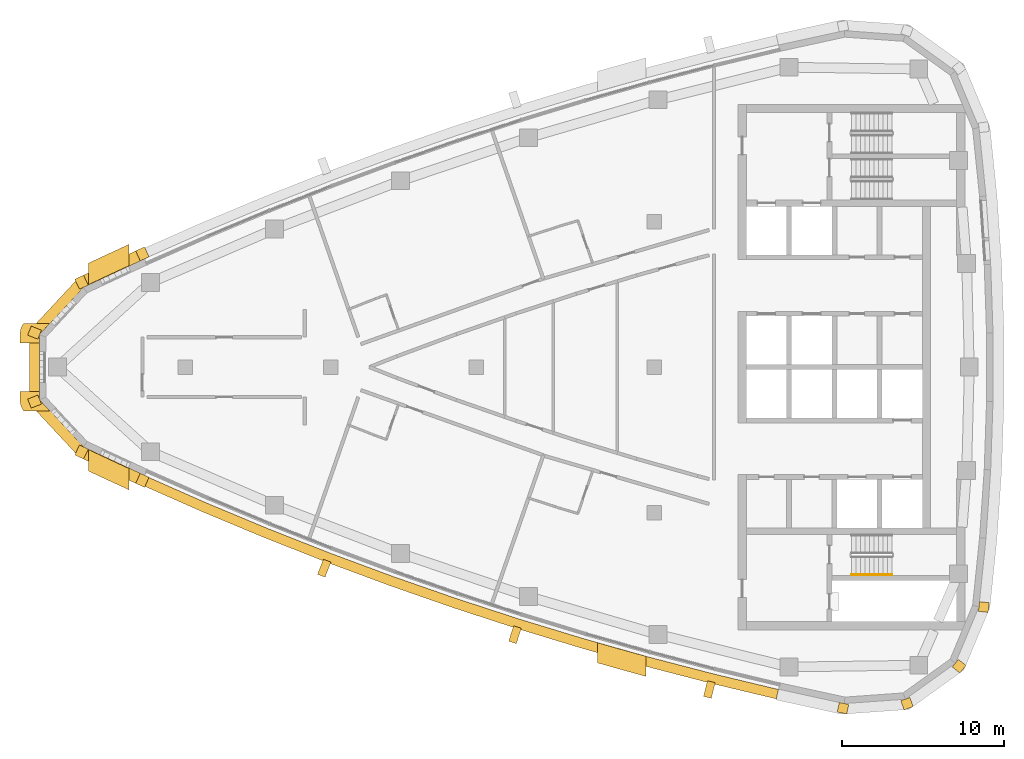
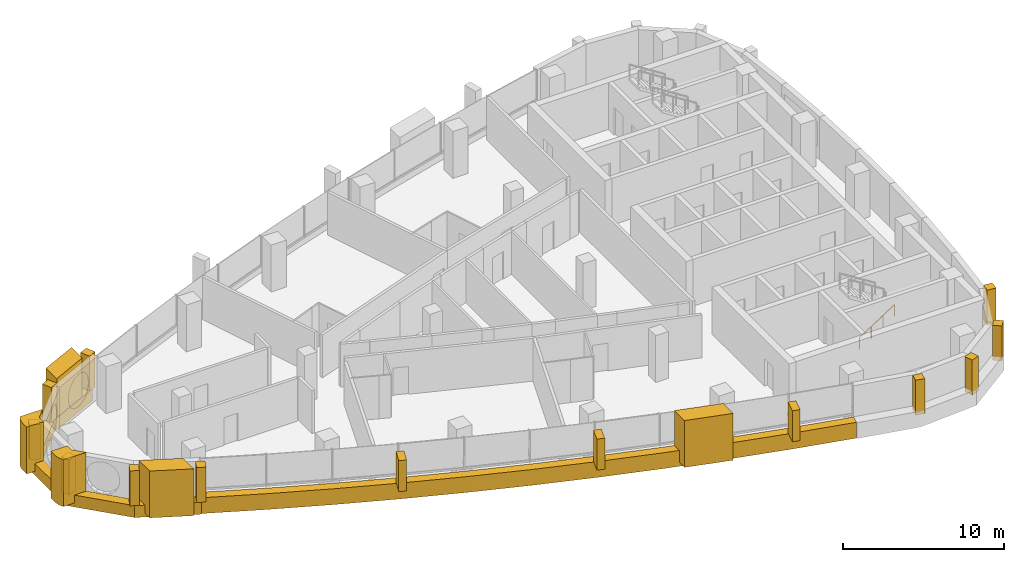
# One storey, part 11 of 14: 20 coverings, 1 railing.
"""IFC4 building model written with IfcOpenShell, lengths in metres."""

from ifc_helpers import new_model, si_unit, direction, frame, frame_2d, origin, origin_2d, place, context, subcontext, project, spatial, polyline, rectangle, circle, outline, extrude, material, layer, layer_set, type_object, element, save


model = new_model("IFC4")

# Units and contexts
model_context = context("Model", 3, precision=1e-05, world=origin(), true_north=direction((0.0, 1.0)))
body_context = subcontext(model_context, "Body", "Model", "MODEL_VIEW")
ifc_project = project(units=[si_unit("LENGTHUNIT", "METRE"), si_unit("AREAUNIT", "SQUARE_METRE"), si_unit("VOLUMEUNIT", "CUBIC_METRE"), si_unit("PLANEANGLEUNIT", "RADIAN"), si_unit("MASSUNIT", "GRAM", prefix="KILO")], contexts=[model_context])

# Site, building, storey
site_placement = place(None, origin())
site = spatial("IfcSite", under=ifc_project, at=site_placement, CompositionType="ELEMENT")
building_placement = place(site_placement, origin())
building = spatial("IfcBuilding", under=site, at=building_placement, Name="Ostrand Prow Hotel Tower", CompositionType="ELEMENT")
storey_placement = place(building_placement, frame((0.0, 0.0, 278.550048828125)))
storey = spatial("IfcBuildingStorey", under=building, at=storey_placement, Name="L70", CompositionType="ELEMENT", Elevation=278.550048828125)

# Coverings
ifc_material_1 = material(Name="Bronze anodised aluminium cladding", Category="aluminium")
ifc_layer_1 = layer(ifc_material_1, 0.60009765625)
ifc_layer_set_1 = layer_set([ifc_layer_1], Name="Bronze anodised aluminium cladding")
covering_type_1 = type_object("IfcCoveringType", Name="Bronze prow band 899x600", PredefinedType="CLADDING", material=ifc_layer_set_1)
covering_1_placement = place(storey_placement, frame((0.0, 0.0, -0.300048828125)))
element("IfcCovering", 1, at=covering_1_placement, inside=storey, type_object=covering_type_1, Name="Bronze prow band", PredefinedType="CLADDING", context=body_context, shape_type="SweptSolid", body=[
    extrude(outline(polyline([(13.195068359375, 7.316162109375), (9.424560546875, 5.559814453125), (6.348388671875, 2.2568359375), (6.348388671875, -2.2568359375), (9.424560546875, -5.559814453125), (13.195068359375, -7.316162109375), (13.47607421875, -6.697021484375), (9.718017578125, -4.9462890625), (6.981201171875, -2.0078125), (6.981201171875, 2.0078125), (9.718017578125, 4.9462890625), (13.47607421875, 6.697021484375), (13.195068359375, 7.316162109375)])), origin(), (0.0, 0.0, 1.0), 0.89990234375),
])
ifc_material_2 = material(Name="Bronze anodised aluminium cladding", Category="aluminium")
ifc_layer_2 = layer(ifc_material_2, 0.60009765625)
ifc_layer_set_2 = layer_set([ifc_layer_2], Name="Bronze anodised aluminium cladding")
covering_type_2 = type_object("IfcCoveringType", Name="Bronze spandrel band 1200x600", PredefinedType="CLADDING", material=ifc_layer_set_2)
covering_2_placement = place(storey_placement, frame((0.0, 0.0, -0.300048828125)))
element("IfcCovering", 2, at=covering_2_placement, inside=storey, type_object=covering_type_2, Name="Spandrel band S1", PredefinedType="CLADDING", context=body_context, shape_type="SweptSolid", body=[
    extrude(outline(polyline([(13.220947265625, -7.25927734375), (17.02490234375, -8.938720703125), (20.86181640625, -10.541748046875), (24.72998046875, -12.067138671875), (28.62841796875, -13.514404296875), (32.5546875, -14.88330078125), (36.508056640625, -16.172607421875), (40.486328125, -17.382568359375), (44.48828125, -18.51220703125), (48.51220703125, -19.56103515625), (52.55615234375, -20.52880859375), (52.68994140625, -19.94384765625), (48.65771484375, -18.97900390625), (44.6455078125, -17.93310546875), (40.6552734375, -16.806884765625), (36.6884765625, -15.6005859375), (32.74658203125, -14.314697265625), (28.83154296875, -12.949951171875), (24.944580078125, -11.5068359375), (21.08740234375, -9.98583984375), (17.26171875, -8.3876953125), (13.468994140625, -6.712890625), (13.220947265625, -7.25927734375)])), origin(), (0.0, 0.0, 1.0), 1.199951171875),
])
ifc_material_3 = material(Name="Limestone cladding", Category="masonry")
ifc_layer_3 = layer(ifc_material_3, 5.0)
ifc_layer_set_3 = layer_set([ifc_layer_3], Name="Limestone cladding")
covering_type_3 = type_object("IfcCoveringType", Name="Portal jamb pilaster limestone", PredefinedType="CLADDING", material=ifc_layer_set_3)
covering_3_placement = place(storey_placement, origin())
element("IfcCovering", 3, at=covering_3_placement, inside=storey, type_object=covering_type_3, Name="Portal jamb SA L70", PredefinedType="CLADDING", context=body_context, shape_type="SweptSolid", body=[
    extrude(outline(polyline([(10.0, -5.10009765625), (10.0, -6.428466796875), (10.833251953125, -6.8203125), (11.666748046875, -7.20751953125), (12.5, -7.590087890625), (12.5, -6.270263671875), (11.666748046875, -5.884765625), (10.833251953125, -5.494873046875), (10.0, -5.10009765625)])), origin(), (0.0, 0.0, 1.0), 3.550048828125),
])
covering_4_placement = place(storey_placement, origin())
element("IfcCovering", 4, at=covering_4_placement, inside=storey, type_object=covering_type_3, Name="Portal jamb SB L70", PredefinedType="CLADDING", context=body_context, shape_type="SweptSolid", body=[
    extrude(outline(polyline([(41.5, -17.052490234375), (41.5, -18.301025390625), (42.5, -18.585205078125), (43.5, -18.86376953125), (44.5, -19.136962890625), (44.5, -17.8935546875), (43.5, -17.61865234375), (42.5, -17.338134765625), (41.5, -17.052490234375)])), origin(), (0.0, 0.0, 1.0), 3.550048828125),
])
covering_5_placement = place(storey_placement, origin())
element("IfcCovering", 5, at=covering_5_placement, inside=storey, type_object=covering_type_3, Name="Portal jamb NA L70", PredefinedType="CLADDING", context=body_context, shape_type="SweptSolid", body=[
    extrude(outline(polyline([(10.0, 5.10009765625), (10.833251953125, 5.494873046875), (11.666748046875, 5.884765625), (12.5, 6.270263671875), (12.5, 7.590087890625), (11.666748046875, 7.20751953125), (10.833251953125, 6.8203125), (10.0, 6.428466796875), (10.0, 5.10009765625)])), origin(), (0.0, 0.0, 1.0), 3.550048828125),
])
ifc_material_4 = material(Name="Limestone cladding", Category="masonry")
ifc_layer_4 = layer(ifc_material_4, 0.5)
ifc_layer_set_4 = layer_set([ifc_layer_4], Name="Limestone cladding")
covering_type_4 = type_object("IfcCoveringType", Name="Precast stone fin 500x900", PredefinedType="CLADDING", material=ifc_layer_set_4)
covering_6_placement = place(storey_placement, frame((24.765869140625, -11.973876953125, 0.89990234375), z_axis=(0.0, 0.0, 1.0), x_axis=(-0.357456978517, -0.933929605757, 0.0)))
element("IfcCovering", 6, at=covering_6_placement, inside=storey, type_object=covering_type_4, Name="Stone fin S 4", PredefinedType="CLADDING", context=body_context, shape_type="SweptSolid", body=[
    extrude(rectangle(XDim=1.0, YDim=0.5, at=frame_2d((0.5, 0.0))), origin(), (0.0, 0.0, 1.0), 2.35009765625),
])
for number, where, z_axis, x_axis, name in (
    (7, (36.5380859375, -16.077392578125, 0.89990234375), (0.0, 0.0, 1.0), (-0.30058207316, -0.953755952692, 0.0), "Stone fin S 7"),
    (8, (48.536376953125, -19.464111328125, 0.89990234375), (0.0, 0.0, 1.0), (-0.242707978632, -0.970099395479, 0.0), "Stone fin S 10"),
):
    element("IfcCovering", number, at=place(storey_placement, frame(where, z_axis=z_axis, x_axis=x_axis)), inside=storey, type_object=covering_type_4, Name=name, PredefinedType="CLADDING", context=body_context, shape_type="SweptSolid", body=[
        extrude(rectangle(XDim=0.999755859375, YDim=0.5, at=frame_2d((0.5, 0.0))), origin(), (0.0, 0.0, 1.0), 2.35009765625),
    ])
ifc_material_5 = material(Name="Limestone cladding", Category="masonry")
ifc_layer_5 = layer(ifc_material_5, 0.60009765625)
ifc_layer_set_5 = layer_set([ifc_layer_5], Name="Limestone cladding")
covering_type_5 = type_object("IfcCoveringType", Name="Precast stone prow rib 600x600", PredefinedType="CLADDING", material=ifc_layer_set_5)
covering_7_placement = place(storey_placement, frame((13.47607421875, 6.697021484375, 0.599853515625), z_axis=(0.0, 0.0, 1.0), x_axis=(-0.413288868051, 0.910599973394, 0.0)))
element("IfcCovering", 9, at=covering_7_placement, inside=storey, type_object=covering_type_5, Name="Stone prow rib 1", PredefinedType="CLADDING", context=body_context, shape_type="SweptSolid", body=[
    extrude(rectangle(XDim=0.679931640625, YDim=0.60009765625, at=frame_2d((0.33984375, 0.0))), origin(), (0.0, 0.0, 1.0), 2.650146484375),
])
covering_8_placement = place(storey_placement, frame((9.718017578125, 4.9462890625, 0.599853515625), z_axis=(0.0, 0.0, 1.0), x_axis=(-0.431493603995, 0.902115995707, 0.0)))
element("IfcCovering", 10, at=covering_8_placement, inside=storey, type_object=covering_type_5, Name="Stone prow rib 2", PredefinedType="CLADDING", context=body_context, shape_type="SweptSolid", body=[
    extrude(rectangle(XDim=0.68017578125, YDim=0.60009765625, at=frame_2d((0.340087890625, 0.0))), origin(), (0.0, 0.0, 1.0), 2.650146484375),
])
for number, where, z_axis, x_axis, name in (
    (11, (6.981201171875, 2.0078125, 0.599853515625), (0.0, 0.0, 1.0), (-0.93054188789, 0.366185465142, 0.0), "Stone prow rib 3"),
    (12, (6.981201171875, -2.0078125, 0.599853515625), (0.0, 0.0, 1.0), (-0.93054188789, -0.366185465142, 0.0), "Stone prow rib 4"),
):
    element("IfcCovering", number, at=place(storey_placement, frame(where, z_axis=z_axis, x_axis=x_axis)), inside=storey, type_object=covering_type_5, Name=name, PredefinedType="CLADDING", context=body_context, shape_type="SweptSolid", body=[
        extrude(rectangle(XDim=0.679931640625, YDim=0.60009765625, at=frame_2d((0.33984375, 0.0))), origin(), (0.0, 0.0, 1.0), 2.650146484375),
    ])
covering_9_placement = place(storey_placement, frame((9.718017578125, -4.9462890625, 0.599853515625), z_axis=(0.0, 0.0, 1.0), x_axis=(-0.431493603995, -0.902115995707, 0.0)))
element("IfcCovering", 13, at=covering_9_placement, inside=storey, type_object=covering_type_5, Name="Stone prow rib 5", PredefinedType="CLADDING", context=body_context, shape_type="SweptSolid", body=[
    extrude(rectangle(XDim=0.68017578125, YDim=0.60009765625, at=frame_2d((0.340087890625, 0.0))), origin(), (0.0, 0.0, 1.0), 2.650146484375),
])
covering_10_placement = place(storey_placement, frame((13.47607421875, -6.697021484375, 0.599853515625), z_axis=(0.0, 0.0, 1.0), x_axis=(-0.413288868051, -0.910599973394, 0.0)))
element("IfcCovering", 14, at=covering_10_placement, inside=storey, type_object=covering_type_5, Name="Stone prow rib 6", PredefinedType="CLADDING", context=body_context, shape_type="SweptSolid", body=[
    extrude(rectangle(XDim=0.679931640625, YDim=0.60009765625, at=frame_2d((0.33984375, 0.0))), origin(), (0.0, 0.0, 1.0), 2.650146484375),
])
covering_11_placement = place(storey_placement, frame((56.744384765625, -20.810546875, 0.599853515625), z_axis=(0.0, 0.0, 1.0), x_axis=(-0.203385687349, -0.979098698897, 0.0)))
element("IfcCovering", 15, at=covering_11_placement, inside=storey, type_object=covering_type_5, Name="Stone corner rib 2a", PredefinedType="CLADDING", context=body_context, shape_type="SweptSolid", body=[
    extrude(rectangle(XDim=0.60009765625, YDim=0.60009765625, at=frame_2d((0.300048828125, 0.0))), origin(), (0.0, 0.0, 1.0), 2.650146484375),
])
for number, where, z_axis, x_axis, name in (
    (16, (60.540283203125, -20.539794921875, 0.599853515625), (0.0, 0.0, 1.0), (0.340664419472, -0.940184956966, 0.0), "Stone corner rib 3a"),
    (17, (63.630615234375, -18.318359375, 0.599853515625), (0.0, 0.0, 1.0), (0.782731736812, -0.622359243674, 0.0), "Stone corner rib 4a"),
):
    element("IfcCovering", number, at=place(storey_placement, frame(where, z_axis=z_axis, x_axis=x_axis)), inside=storey, type_object=covering_type_5, Name=name, PredefinedType="CLADDING", context=body_context, shape_type="SweptSolid", body=[
        extrude(rectangle(XDim=0.599853515625, YDim=0.60009765625, at=frame_2d((0.2998046875, 0.0))), origin(), (0.0, 0.0, 1.0), 2.650146484375),
    ])
covering_12_placement = place(storey_placement, frame((65.0966796875, -14.806396484375, 0.599853515625), z_axis=(0.0, 0.0, 1.0), x_axis=(0.992867207971, -0.119225447515, 0.0)))
element("IfcCovering", 18, at=covering_12_placement, inside=storey, type_object=covering_type_5, Name="Stone corner rib 4b", PredefinedType="CLADDING", context=body_context, shape_type="SweptSolid", body=[
    extrude(rectangle(XDim=0.60009765625, YDim=0.60009765625, at=frame_2d((0.300048828125, 0.0))), origin(), (0.0, 0.0, 1.0), 2.650146484375),
])
ifc_material_6 = material(Name="Limestone cladding", Category="masonry")
ifc_layer_6 = layer(ifc_material_6, 3.0)
ifc_layer_set_6 = layer_set([ifc_layer_6], Name="Limestone cladding")
covering_type_6 = type_object("IfcCoveringType", Name="Prow nose pier limestone", PredefinedType="CLADDING", material=ifc_layer_set_6)
covering_13_placement = place(storey_placement, origin())
element("IfcCovering", 19, at=covering_13_placement, inside=storey, type_object=covering_type_6, Name="Prow spine fin N L70", PredefinedType="CLADDING", context=body_context, shape_type="SweptSolid", body=[
    extrude(outline(polyline([(5.764892578125, 2.01416015625), (5.764892578125, 1.5), (6.96484375, 1.5), (6.96484375, 2.01416015625), (7.603515625, 2.699951171875), (5.981689453125, 2.699951171875), (5.94970703125, 2.654052734375), (5.894287109375, 2.55615234375), (5.84814453125, 2.45361328125), (5.81201171875, 2.34716796875), (5.785888671875, 2.23779296875), (5.77001953125, 2.12646484375), (5.764892578125, 2.01416015625)])), origin(), (0.0, 0.0, 1.0), 3.550048828125),
])
covering_14_placement = place(storey_placement, origin())
element("IfcCovering", 20, at=covering_14_placement, inside=storey, type_object=covering_type_6, Name="Prow spine fin S L70", PredefinedType="CLADDING", context=body_context, shape_type="SweptSolid", body=[
    extrude(outline(polyline([(5.94970703125, -2.654052734375), (5.981689453125, -2.699951171875), (7.603515625, -2.699951171875), (6.96484375, -2.01416015625), (6.96484375, -1.5), (5.764892578125, -1.5), (5.764892578125, -2.01416015625), (5.77001953125, -2.12646484375), (5.785888671875, -2.23779296875), (5.81201171875, -2.34716796875), (5.84814453125, -2.45361328125), (5.894287109375, -2.55615234375), (5.94970703125, -2.654052734375)])), origin(), (0.0, 0.0, 1.0), 3.550048828125),
])

# Railing
ifc_material_7 = material(Name="Stainless steel", Category="steel")
railing_type = type_object("IfcRailingType", Name="Stair handrail 900", PredefinedType="HANDRAIL", material=ifc_material_7)
railing_placement = place(storey_placement, frame((57.199951171875, -12.85009765625, 0.177490234375)))
element("IfcRailing", 21, at=railing_placement, inside=storey, type_object=railing_type, Name="L70 ST2C stair handrail 1", PredefinedType="HANDRAIL", context=body_context, shape_type="SweptSolid", body=[
    extrude(circle(Radius=0.02392578125, at=origin_2d()), frame((0.0, 0.0, 0.8759765625), z_axis=(0.84460694969, 0.0, 0.535386869969), x_axis=(0.0, 1.0, 0.0)), (0.0, 0.0, 1.0), 2.983642578125),
    extrude(circle(Radius=0.02099609375, at=origin_2d()), origin(), (0.0, 0.0, 1.0), 0.851806640625),
    extrude(circle(Radius=0.02099609375, at=origin_2d()), frame((0.840087890625, 0.0, 0.532470703125)), (0.0, 0.0, 1.0), 0.851806640625),
    extrude(circle(Radius=0.02099609375, at=origin_2d()), frame((1.679931640625, 0.0, 1.06494140625)), (0.0, 0.0, 1.0), 0.851806640625),
    extrude(circle(Radius=0.02099609375, at=origin_2d()), frame((2.52001953125, 0.0, 1.597412109375)), (0.0, 0.0, 1.0), 0.851806640625),
])

save(model, "model.ifc")
